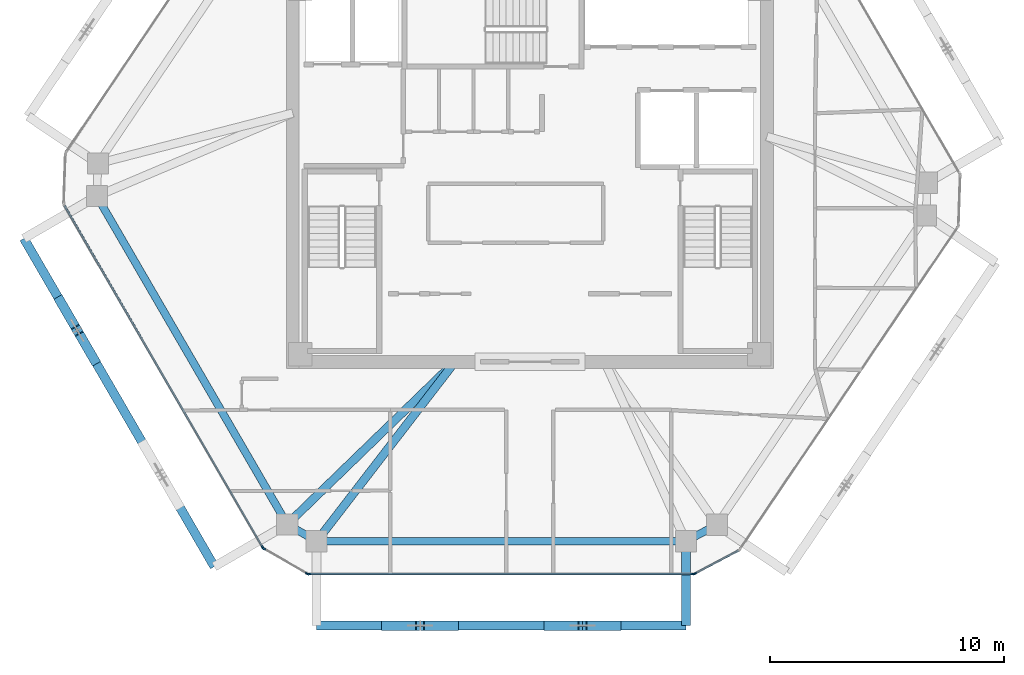
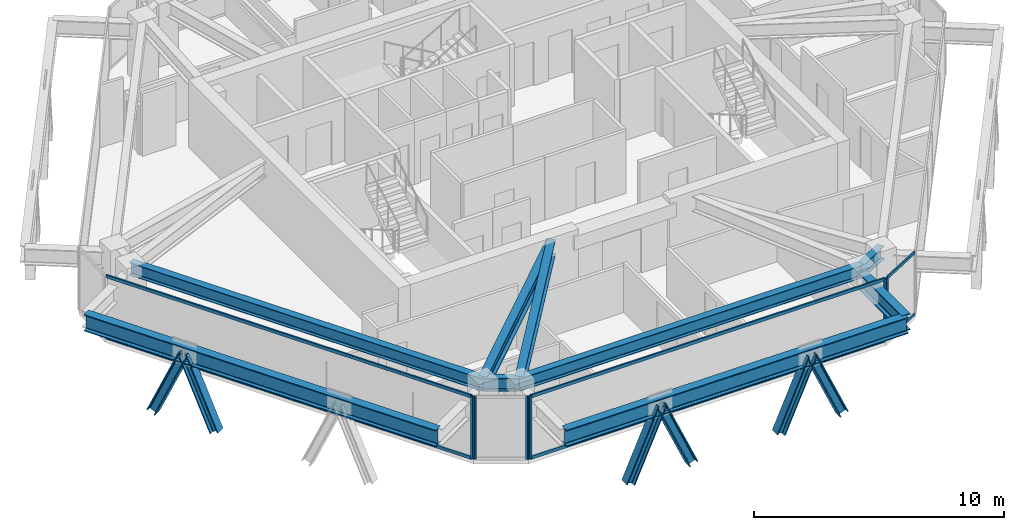
# One storey, part 2 of 13: 18 members, 9 beams, 4 elements without a shape of their own.
"""IFC4 building model written with IfcOpenShell, lengths in metres."""

from ifc_helpers import new_model, si_unit, direction, frame, origin, origin_2d, place, context, subcontext, project, spatial, rectangle, i_section, extrude, source, transform, mapped, material, layer, layer_set, material_profile, profile_set, type_object, type_shapes, element, aggregate, save


model = new_model("IFC4")

# Units and contexts
model_context = context("Model", 3, precision=1e-05, world=origin(), true_north=direction((0.0, 1.0)))
body_context = subcontext(model_context, "Body", "Model", "MODEL_VIEW")
ifc_project = project(units=[si_unit("LENGTHUNIT", "METRE"), si_unit("AREAUNIT", "SQUARE_METRE"), si_unit("VOLUMEUNIT", "CUBIC_METRE"), si_unit("PLANEANGLEUNIT", "RADIAN"), si_unit("MASSUNIT", "GRAM", prefix="KILO")], contexts=[model_context])

# Site, building, storey
site_placement = place(None, origin())
site = spatial("IfcSite", under=ifc_project, at=site_placement, CompositionType="ELEMENT")
building_placement = place(site_placement, origin())
building = spatial("IfcBuilding", under=site, at=building_placement, Name="Durnholm Broadcast Tower", CompositionType="ELEMENT")
storey_placement = place(building_placement, frame((0.0, 0.0, 234.800048828125)))
storey = spatial("IfcBuildingStorey", under=building, at=storey_placement, Name="L65", CompositionType="ELEMENT", Elevation=234.800048828125)

# Beams
ifc_material_1 = material(Name="Steel ASTM A992 Grade 50", Category="steel")
ifc_material_profile_1 = material_profile(ifc_material_1, i_section(OverallWidth=0.385009765625, OverallDepth=0.802978515625, WebThickness=0.023681640625, FlangeThickness=0.0419921875, FilletRadius=0.032958984375, at=origin_2d()), Name="W30X261")
ifc_profile_set_1 = profile_set([ifc_material_profile_1], Name="Steel ASTM A992 Grade 50")
beam_type_1 = type_object("IfcBeamType", Name="BM-EXO-TIE", PredefinedType="USERDEFINED", material=ifc_profile_set_1)
shared_shape_1 = source(origin(), body_context, "Body", "SweptSolid", [
    extrude(i_section(OverallWidth=0.385009765625, OverallDepth=0.802978515625, WebThickness=0.023681640625, FlangeThickness=0.0419921875, FilletRadius=0.032958984375, at=origin_2d()), origin(), (0.0, 0.0, 1.0), 3.4560546875),
])
beam_1_placement = place(storey_placement, frame((6.663818359375, -15.929931640625, 2.30859375), z_axis=(0.0, -1.0, 0.0), x_axis=(1.0, 0.0, 0.0)))
element("IfcBeam", 1, at=beam_1_placement, inside=storey, type_object=beam_type_1, Name="L65 exoskeleton stand-off tie bracket F1.2", ObjectType="GIRDER", PredefinedType="USERDEFINED", context=body_context, shape_type="MappedRepresentation", body=[
    mapped(shared_shape_1, transform((0.0, 0.0, 0.0), x_axis=(1.0, 0.0, 0.0), y_axis=(0.0, 1.0, 0.0), z_axis=(0.0, 0.0, 1.0), scale=1.0)),
])
ifc_material_profile_2 = material_profile(ifc_material_1, i_section(OverallWidth=0.3251953125, OverallDepth=0.6162109375, WebThickness=0.013916015625, FlangeThickness=0.021484375, FilletRadius=0.02783203125, at=origin_2d()), Name="W24X117")
ifc_profile_set_2 = profile_set([ifc_material_profile_2], Name="Steel ASTM A992 Grade 50")
beam_type_2 = type_object("IfcBeamType", Name="STL-SP-W24X117", PredefinedType="SPANDREL", material=ifc_profile_set_2)
shared_shape_2 = source(origin(), body_context, "Body", "SweptSolid", [
    extrude(i_section(OverallWidth=0.3251953125, OverallDepth=0.6162109375, WebThickness=0.013916015625, FlangeThickness=0.021484375, FilletRadius=0.02783203125, at=origin_2d()), origin(), (0.0, 0.0, 1.0), 16.202880859375),
])
beam_2_placement = place(storey_placement, frame((-10.361328125, -15.061767578125, 2.73681640625), z_axis=(-0.501948303381, 0.864897624423, 0.0), x_axis=(-0.864897624423, -0.501948303381, 0.0)))
element("IfcBeam", 2, at=beam_2_placement, inside=storey, type_object=beam_type_2, Name="L65 perimeter spandrel girder 01", PredefinedType="SPANDREL", context=body_context, shape_type="MappedRepresentation", body=[
    mapped(shared_shape_2, transform((0.0, 0.0, 0.0), x_axis=(1.0, 0.0, 0.0), y_axis=(0.0, 1.0, 0.0), z_axis=(0.0, 0.0, 1.0), scale=1.0)),
])
shared_shape_3 = source(origin(), body_context, "Body", "SweptSolid", [
    extrude(i_section(OverallWidth=0.3251953125, OverallDepth=0.6162109375, WebThickness=0.013916015625, FlangeThickness=0.021484375, FilletRadius=0.02783203125, at=origin_2d()), origin(), (0.0, 0.0, 1.0), 1.502685546875),
])
beam_3_placement = place(storey_placement, frame((7.990966796875, -15.081298828125, 2.73681640625), z_axis=(-0.883241909673, -0.468917614296, 0.0), x_axis=(0.468917614296, -0.883241909673, 0.0)))
element("IfcBeam", 3, at=beam_3_placement, inside=storey, type_object=beam_type_2, Name="L65 perimeter spandrel girder 10", PredefinedType="SPANDREL", context=body_context, shape_type="MappedRepresentation", body=[
    mapped(shared_shape_3, transform((0.0, 0.0, 0.0), x_axis=(1.0, 0.0, 0.0), y_axis=(0.0, 1.0, 0.0), z_axis=(0.0, 0.0, 1.0), scale=1.0)),
])
shared_shape_4 = source(origin(), body_context, "Body", "SweptSolid", [
    extrude(i_section(OverallWidth=0.3251953125, OverallDepth=0.6162109375, WebThickness=0.013916015625, FlangeThickness=0.021484375, FilletRadius=0.02783203125, at=origin_2d()), origin(), (0.0, 0.0, 1.0), 15.767578125),
])
beam_4_placement = place(storey_placement, frame((6.663818359375, -15.785888671875, 2.73681640625), z_axis=(-1.0, 0.0, 0.0), x_axis=(0.0, -1.0, 0.0)))
element("IfcBeam", 4, at=beam_4_placement, inside=storey, type_object=beam_type_2, Name="L65 perimeter spandrel girder 11", PredefinedType="SPANDREL", context=body_context, shape_type="MappedRepresentation", body=[
    mapped(shared_shape_4, transform((0.0, 0.0, 0.0), x_axis=(1.0, 0.0, 0.0), y_axis=(0.0, 1.0, 0.0), z_axis=(0.0, 0.0, 1.0), scale=1.0)),
])
shared_shape_5 = source(origin(), body_context, "Body", "SweptSolid", [
    extrude(i_section(OverallWidth=0.3251953125, OverallDepth=0.6162109375, WebThickness=0.013916015625, FlangeThickness=0.021484375, FilletRadius=0.02783203125, at=origin_2d()), origin(), (0.0, 0.0, 1.0), 1.451171875),
])
type_shapes(beam_type_2, [shared_shape_2, shared_shape_3, shared_shape_4, shared_shape_5])
beam_5_placement = place(storey_placement, frame((-9.103759765625, -15.785888671875, 2.73681640625), z_axis=(-0.866602615509, 0.498998904601, 0.0), x_axis=(-0.498998904601, -0.866602615509, 0.0)))
element("IfcBeam", 5, at=beam_5_placement, inside=storey, type_object=beam_type_2, Name="L65 perimeter spandrel girder 12", PredefinedType="SPANDREL", context=body_context, shape_type="MappedRepresentation", body=[
    mapped(shared_shape_5, transform((0.0, 0.0, 0.0), x_axis=(1.0, 0.0, 0.0), y_axis=(0.0, 1.0, 0.0), z_axis=(0.0, 0.0, 1.0), scale=1.0)),
])
shared_shape_6 = source(origin(), body_context, "Body", "SweptSolid", [
    extrude(i_section(OverallWidth=0.385009765625, OverallDepth=0.802978515625, WebThickness=0.023681640625, FlangeThickness=0.0419921875, FilletRadius=0.032958984375, at=origin_2d()), origin(), (0.0, 0.0, 1.0), 15.767578125),
])
beam_6_placement = place(storey_placement, frame((-9.103759765625, -19.385986328125, 2.30859375), z_axis=(1.0, 0.0, 0.0), x_axis=(0.0, 1.0, 0.0)))
element("IfcBeam", 6, at=beam_6_placement, inside=storey, type_object=beam_type_1, Name="L65 exoskeleton collector spandrel F1", PredefinedType="SPANDREL", context=body_context, shape_type="MappedRepresentation", body=[
    mapped(shared_shape_6, transform((0.0, 0.0, 0.0), x_axis=(1.0, 0.0, 0.0), y_axis=(0.0, 1.0, 0.0), z_axis=(0.0, 0.0, 1.0), scale=1.0)),
])
shared_shape_7 = source(origin(), body_context, "Body", "SweptSolid", [
    extrude(i_section(OverallWidth=0.385009765625, OverallDepth=0.802978515625, WebThickness=0.023681640625, FlangeThickness=0.0419921875, FilletRadius=0.032958984375, at=origin_2d()), origin(), (0.0, 0.0, 1.0), 16.20263671875),
])
type_shapes(beam_type_1, [shared_shape_1, shared_shape_6, shared_shape_7])
beam_7_placement = place(storey_placement, frame((-21.60791015625, -2.85498046875, 2.30859375), z_axis=(0.501943573333, -0.864900369516, 0.0), x_axis=(0.864900369516, 0.501943573333, 0.0)))
element("IfcBeam", 7, at=beam_7_placement, inside=storey, type_object=beam_type_1, Name="L65 exoskeleton collector spandrel F6", PredefinedType="SPANDREL", context=body_context, shape_type="MappedRepresentation", body=[
    mapped(shared_shape_7, transform((0.0, 0.0, 0.0), x_axis=(1.0, 0.0, 0.0), y_axis=(0.0, 1.0, 0.0), z_axis=(0.0, 0.0, 1.0), scale=1.0)),
])
ifc_material_profile_3 = material_profile(ifc_material_1, i_section(OverallWidth=0.3564453125, OverallDepth=0.713623046875, WebThickness=0.01904296875, FlangeThickness=0.033935546875, FilletRadius=0.030517578125, at=origin_2d()), Name="W27X194")
ifc_profile_set_3 = profile_set([ifc_material_profile_3], Name="Steel ASTM A992 Grade 50")
beam_type_3 = type_object("IfcBeamType", Name="STL-GR-W27X194", PredefinedType="USERDEFINED", material=ifc_profile_set_3)
shared_shape_8 = source(origin(), body_context, "Body", "SweptSolid", [
    extrude(i_section(OverallWidth=0.3564453125, OverallDepth=0.713623046875, WebThickness=0.01904296875, FlangeThickness=0.033935546875, FilletRadius=0.030517578125, at=origin_2d()), origin(), (0.0, 0.0, 1.0), 9.97021484375),
])
beam_8_placement = place(storey_placement, frame((-3.199951171875, -8.125, 2.688232421875), z_axis=(-0.718281140352, -0.695752975857, 0.0), x_axis=(0.695752975857, -0.718281140352, 0.0)))
element("IfcBeam", 8, at=beam_8_placement, inside=storey, type_object=beam_type_3, Name="L65 radial primary floor girder 01", ObjectType="GIRDER", PredefinedType="USERDEFINED", context=body_context, shape_type="MappedRepresentation", body=[
    mapped(shared_shape_8, transform((0.0, 0.0, 0.0), x_axis=(1.0, 0.0, 0.0), y_axis=(0.0, 1.0, 0.0), z_axis=(0.0, 0.0, 1.0), scale=1.0)),
])
shared_shape_9 = source(origin(), body_context, "Body", "SweptSolid", [
    extrude(i_section(OverallWidth=0.3564453125, OverallDepth=0.713623046875, WebThickness=0.01904296875, FlangeThickness=0.033935546875, FilletRadius=0.030517578125, at=origin_2d()), origin(), (0.0, 0.0, 1.0), 9.671875),
])
type_shapes(beam_type_3, [shared_shape_8, shared_shape_9])
beam_9_placement = place(storey_placement, frame((-3.199951171875, -8.125, 2.688232421875), z_axis=(-0.610413181287, -0.792083169945, 0.0), x_axis=(0.792083169945, -0.610413181287, 0.0)))
element("IfcBeam", 9, at=beam_9_placement, inside=storey, type_object=beam_type_3, Name="L65 radial primary floor girder 12", ObjectType="GIRDER", PredefinedType="USERDEFINED", context=body_context, shape_type="MappedRepresentation", body=[
    mapped(shared_shape_9, transform((0.0, 0.0, 0.0), x_axis=(1.0, 0.0, 0.0), y_axis=(0.0, 1.0, 0.0), z_axis=(0.0, 0.0, 1.0), scale=1.0)),
])

# Members
ifc_material_2 = material(Name="Steel ASTM A913 Grade 65", Category="steel")
ifc_material_profile_4 = material_profile(ifc_material_2, i_section(OverallWidth=0.40625, OverallDepth=0.416015625, WebThickness=0.02978515625, FlangeThickness=0.048095703125, FilletRadius=0.030517578125, at=origin_2d()), Name="W14X257")
ifc_profile_set_4 = profile_set([ifc_material_profile_4], Name="Steel ASTM A913 Grade 65")
member_type_1 = type_object("IfcMemberType", Name="STL-DG-W14X257", PredefinedType="BRACE", material=ifc_profile_set_4)
shared_shape_10 = source(origin(), body_context, "Body", "SweptSolid", [
    extrude(i_section(OverallWidth=0.40625, OverallDepth=0.416015625, WebThickness=0.02978515625, FlangeThickness=0.048095703125, FilletRadius=0.030517578125, at=origin_2d()), origin(), (0.0, 0.0, 1.0), 3.60791015625),
])
for number, where, z_axis, x_axis, name in (
    (10, (-6.14697265625, -19.385986328125, -0.991455078125), (0.404184914295, 0.0, 0.914677295584), (0.0, 1.0, 0.0), "L65 stand-off diagrid brace F1.D1.1"),
    (11, (0.79052734375, -19.385986328125, -0.991455078125), (0.404184914295, 0.0, 0.914677295584), (0.0, 1.0, 0.0), "L65 stand-off diagrid brace F1.D2.1"),
    (12, (3.70703125, -19.385986328125, -0.991455078125), (-0.404184914295, 0.0, 0.914677295584), (0.0, -1.0, 0.0), "L65 stand-off diagrid brace F1.D2.2"),
    (13, (-20.0625, -5.517578125, -0.991455078125), (0.202806304578, -0.349582038522, 0.914692298626), (0.864978863669, 0.501808295473, 0.0), "L65 stand-off diagrid brace F6.D1.1"),
    (14, (-18.5986328125, -8.0400390625, -0.991455078125), (-0.202936072208, 0.349572440488, 0.914667185072), (-0.864833498681, -0.50205878098, 0.0), "L65 stand-off diagrid brace F6.D1.2"),
):
    element("IfcMember", number, at=place(storey_placement, frame(where, z_axis=z_axis, x_axis=x_axis)), inside=storey, type_object=member_type_1, Name=name, PredefinedType="BRACE", context=body_context, shape_type="MappedRepresentation", body=[
        mapped(shared_shape_10, transform((0.0, 0.0, 0.0), x_axis=(1.0, 0.0, 0.0), y_axis=(0.0, 1.0, 0.0), z_axis=(0.0, 0.0, 1.0), scale=1.0)),
    ])
shared_shape_11 = source(origin(), body_context, "Body", "SweptSolid", [
    extrude(i_section(OverallWidth=0.40625, OverallDepth=0.416015625, WebThickness=0.02978515625, FlangeThickness=0.048095703125, FilletRadius=0.030517578125, at=origin_2d()), origin(), (0.0, 0.0, 1.0), 3.607666015625),
])
type_shapes(member_type_1, [shared_shape_10, shared_shape_11])
member_1_placement = place(storey_placement, frame((-3.230712890625, -19.385986328125, -0.991455078125), z_axis=(-0.404128298032, 0.0, 0.914702311536), x_axis=(0.0, -1.0, 0.0)))
element("IfcMember", 15, at=member_1_placement, inside=storey, type_object=member_type_1, Name="L65 stand-off diagrid brace F1.D1.2", PredefinedType="BRACE", context=body_context, shape_type="MappedRepresentation", body=[
    mapped(shared_shape_11, transform((0.0, 0.0, 0.0), x_axis=(1.0, 0.0, 0.0), y_axis=(0.0, 1.0, 0.0), z_axis=(0.0, 0.0, 1.0), scale=1.0)),
])

# Curtain wall, members
ifc_material_3 = material(Name="Aluminium and Solar Control IGU", Category="aluminium")
ifc_layer_1 = layer(ifc_material_3, 0.1650390625)
ifc_layer_set_1 = layer_set([ifc_layer_1], Name="Aluminium and Solar Control IGU")
curtain_wall_type_1 = type_object("IfcCurtainWallType", Name="CW-SYS-5", PredefinedType="NOTDEFINED", material=ifc_layer_set_1)
curtain_wall_1_placement = place(storey_placement, origin())
curtain_wall_1 = element("IfcCurtainWall", 16, at=curtain_wall_1_placement, inside=storey, type_object=curtain_wall_type_1, Name="L65 curtain wall CW-CORNER CW-L65-CRN-09", PredefinedType="NOTDEFINED")
ifc_material_4 = material(Name="Aluminium 6063-T6", Category="aluminium")
ifc_material_profile_5 = material_profile(ifc_material_4, rectangle(XDim=0.06494140625, YDim=0.1298828125, at=origin_2d()), Name="CWT65X130")
ifc_profile_set_5 = profile_set([ifc_material_profile_5], Name="Aluminium 6063-T6")
member_type_2 = type_object("IfcMemberType", Name="CW-SYS-5-TRN", PredefinedType="USERDEFINED", material=ifc_profile_set_5)
shared_shape_12 = source(origin(), body_context, "Body", "SweptSolid", [
    extrude(rectangle(XDim=0.06494140625, YDim=0.1298828125, at=origin_2d()), origin(), (0.0, 0.0, 1.0), 2.070068359375),
])
type_shapes(member_type_2, [shared_shape_12])
member_2_placement = place(storey_placement, frame((8.89794921875, -16.1845703125, 0.032470703125), z_axis=(-0.883164581026, -0.469063239682, 0.0), x_axis=(0.469063239682, -0.883164581026, 0.0)))
member_2 = element("IfcMember", 17, at=member_2_placement, type_object=member_type_2, Name="CW-CORNER transom 1.1", ObjectType="TRANSOM", PredefinedType="USERDEFINED", context=body_context, shape_type="MappedRepresentation", body=[
    mapped(shared_shape_12, transform((0.0, 0.0, 0.0), x_axis=(1.0, 0.0, 0.0), y_axis=(0.0, 1.0, 0.0), z_axis=(0.0, 0.0, 1.0), scale=1.0)),
])
member_3_placement = place(storey_placement, frame((8.89794921875, -16.1845703125, 3.02734375), z_axis=(-0.883164581026, -0.469063239682, 0.0), x_axis=(0.469063239682, -0.883164581026, 0.0)))
member_3 = element("IfcMember", 18, at=member_3_placement, type_object=member_type_2, Name="CW-CORNER transom 1.2", ObjectType="TRANSOM", PredefinedType="USERDEFINED", context=body_context, shape_type="MappedRepresentation", body=[
    mapped(shared_shape_12, transform((0.0, 0.0, 0.0), x_axis=(1.0, 0.0, 0.0), y_axis=(0.0, 1.0, 0.0), z_axis=(0.0, 0.0, 1.0), scale=1.0)),
])
ifc_material_profile_6 = material_profile(ifc_material_4, rectangle(XDim=0.06494140625, YDim=0.1650390625, at=origin_2d()), Name="CWM65X165")
ifc_profile_set_6 = profile_set([ifc_material_profile_6], Name="Aluminium 6063-T6")
member_type_3 = type_object("IfcMemberType", Name="CW-SYS-5-MUL", PredefinedType="MULLION", material=ifc_profile_set_6)
shared_shape_13 = source(origin(), body_context, "Body", "SweptSolid", [
    extrude(rectangle(XDim=0.06494140625, YDim=0.1650390625, at=origin_2d()), origin(), (0.0, 0.0, 1.0), 3.06005859375),
])
type_shapes(member_type_3, [shared_shape_13])
member_4_placement = place(storey_placement, frame((7.041015625, -17.170654296875, 0.0), z_axis=(0.0, 0.0, 1.0), x_axis=(0.469006771575, -0.883194569853, 0.0)))
member_4 = element("IfcMember", 19, at=member_4_placement, type_object=member_type_3, Name="CW-CORNER mullion 2", PredefinedType="MULLION", context=body_context, shape_type="MappedRepresentation", body=[
    mapped(shared_shape_13, transform((0.0, 0.0, 0.0), x_axis=(1.0, 0.0, 0.0), y_axis=(0.0, 1.0, 0.0), z_axis=(0.0, 0.0, 1.0), scale=1.0)),
])
aggregate(curtain_wall_1, [member_4, member_2, member_3])

curtain_wall_2_placement = place(storey_placement, origin())
curtain_wall_2 = element("IfcCurtainWall", 20, at=curtain_wall_2_placement, inside=storey, type_object=curtain_wall_type_1, Name="L65 curtain wall CW-CORNER CW-L65-CRN-11", PredefinedType="NOTDEFINED")
member_5_placement = place(storey_placement, frame((-9.506103515625, -17.169677734375, 0.0), z_axis=(0.0, 0.0, 1.0), x_axis=(-0.499058582333, -0.866568249707, 0.0)))
member_5 = element("IfcMember", 21, at=member_5_placement, type_object=member_type_3, Name="CW-CORNER mullion 1", PredefinedType="MULLION", context=body_context, shape_type="MappedRepresentation", body=[
    mapped(shared_shape_13, transform((0.0, 0.0, 0.0), x_axis=(1.0, 0.0, 0.0), y_axis=(0.0, 1.0, 0.0), z_axis=(0.0, 0.0, 1.0), scale=1.0)),
])
member_6_placement = place(storey_placement, frame((-11.356201171875, -16.104248046875, 0.0), z_axis=(0.0, 0.0, 1.0), x_axis=(-0.499058582333, -0.866568249707, 0.0)))
member_6 = element("IfcMember", 22, at=member_6_placement, type_object=member_type_3, Name="CW-CORNER mullion 2", PredefinedType="MULLION", context=body_context, shape_type="MappedRepresentation", body=[
    mapped(shared_shape_13, transform((0.0, 0.0, 0.0), x_axis=(1.0, 0.0, 0.0), y_axis=(0.0, 1.0, 0.0), z_axis=(0.0, 0.0, 1.0), scale=1.0)),
])
aggregate(curtain_wall_2, [member_5, member_6])

ifc_layer_2 = layer(ifc_material_3, 0.18994140625)
ifc_layer_set_2 = layer_set([ifc_layer_2], Name="Aluminium and Solar Control IGU")
curtain_wall_type_2 = type_object("IfcCurtainWallType", Name="CW-SYS-4", PredefinedType="NOTDEFINED", material=ifc_layer_set_2)
curtain_wall_3_placement = place(storey_placement, origin())
curtain_wall_3 = element("IfcCurtainWall", 23, at=curtain_wall_3_placement, inside=storey, type_object=curtain_wall_type_2, Name="L65 curtain wall CW-Z34-VIS CW-L65-F10", PredefinedType="NOTDEFINED")
ifc_material_profile_7 = material_profile(ifc_material_4, rectangle(XDim=0.070068359375, YDim=0.18994140625, at=origin_2d()), Name="CWM70X190")
ifc_profile_set_7 = profile_set([ifc_material_profile_7], Name="Aluminium 6063-T6")
member_type_4 = type_object("IfcMemberType", Name="CW-SYS-4-MUL", PredefinedType="MULLION", material=ifc_profile_set_7)
shared_shape_14 = source(origin(), body_context, "Body", "SweptSolid", [
    extrude(rectangle(XDim=0.070068359375, YDim=0.18994140625, at=origin_2d()), origin(), (0.0, 0.0, 1.0), 3.06005859375),
])
type_shapes(member_type_4, [shared_shape_14])
member_7_placement = place(storey_placement, frame((6.977294921875, -17.18603515625, 0.0), z_axis=(0.0, 0.0, 1.0), x_axis=(0.0, -1.0, 0.0)))
member_7 = element("IfcMember", 24, at=member_7_placement, type_object=member_type_4, Name="CW-Z34-VIS mullion 1", PredefinedType="MULLION", context=body_context, shape_type="MappedRepresentation", body=[
    mapped(shared_shape_14, transform((0.0, 0.0, 0.0), x_axis=(1.0, 0.0, 0.0), y_axis=(0.0, 1.0, 0.0), z_axis=(0.0, 0.0, 1.0), scale=1.0)),
])
member_8_placement = place(storey_placement, frame((-9.443115234375, -17.18603515625, 0.0), z_axis=(0.0, 0.0, 1.0), x_axis=(0.0, -1.0, 0.0)))
member_8 = element("IfcMember", 25, at=member_8_placement, type_object=member_type_4, Name="CW-Z34-VIS mullion 2", PredefinedType="MULLION", context=body_context, shape_type="MappedRepresentation", body=[
    mapped(shared_shape_14, transform((0.0, 0.0, 0.0), x_axis=(1.0, 0.0, 0.0), y_axis=(0.0, 1.0, 0.0), z_axis=(0.0, 0.0, 1.0), scale=1.0)),
])

# Curtain wall, member
curtain_wall_4_placement = place(storey_placement, origin())
curtain_wall_4 = element("IfcCurtainWall", 26, at=curtain_wall_4_placement, inside=storey, type_object=curtain_wall_type_2, Name="L65 curtain wall CW-Z34-VIS CW-L65-F12", PredefinedType="NOTDEFINED")
member_9_placement = place(storey_placement, frame((-11.40185546875, -16.057861328125, 0.0), z_axis=(0.0, 0.0, 1.0), x_axis=(-0.864899883824, -0.50194441023, 0.0)))
member_9 = element("IfcMember", 27, at=member_9_placement, type_object=member_type_4, Name="CW-Z34-VIS mullion 1", PredefinedType="MULLION", context=body_context, shape_type="MappedRepresentation", body=[
    mapped(shared_shape_14, transform((0.0, 0.0, 0.0), x_axis=(1.0, 0.0, 0.0), y_axis=(0.0, 1.0, 0.0), z_axis=(0.0, 0.0, 1.0), scale=1.0)),
])

# Member
ifc_material_profile_8 = material_profile(ifc_material_4, rectangle(XDim=0.070068359375, YDim=0.14990234375, at=origin_2d()), Name="CWT70X150")
ifc_profile_set_8 = profile_set([ifc_material_profile_8], Name="Aluminium 6063-T6")
member_type_5 = type_object("IfcMemberType", Name="CW-SYS-4-TRN", PredefinedType="USERDEFINED", material=ifc_profile_set_8)
shared_shape_15 = source(origin(), body_context, "Body", "SweptSolid", [
    extrude(rectangle(XDim=0.070068359375, YDim=0.14990234375, at=origin_2d()), origin(), (0.0, 0.0, 1.0), 16.350341796875),
])
member_10_placement = place(storey_placement, frame((6.9423828125, -17.18603515625, 0.034912109375), z_axis=(-1.0, 0.0, 0.0), x_axis=(0.0, -1.0, 0.0)))
member_10 = element("IfcMember", 28, at=member_10_placement, type_object=member_type_5, Name="CW-Z34-VIS transom 1.1", ObjectType="TRANSOM", PredefinedType="USERDEFINED", context=body_context, shape_type="MappedRepresentation", body=[
    mapped(shared_shape_15, transform((0.0, 0.0, 0.0), x_axis=(1.0, 0.0, 0.0), y_axis=(0.0, 1.0, 0.0), z_axis=(0.0, 0.0, 1.0), scale=1.0)),
])

member_11_placement = place(storey_placement, frame((6.9423828125, -17.18603515625, 3.02490234375), z_axis=(-1.0, 0.0, 0.0), x_axis=(0.0, -1.0, 0.0)))
member_11 = element("IfcMember", 29, at=member_11_placement, type_object=member_type_5, Name="CW-Z34-VIS transom 1.2", ObjectType="TRANSOM", PredefinedType="USERDEFINED", context=body_context, shape_type="MappedRepresentation", body=[
    mapped(shared_shape_15, transform((0.0, 0.0, 0.0), x_axis=(1.0, 0.0, 0.0), y_axis=(0.0, 1.0, 0.0), z_axis=(0.0, 0.0, 1.0), scale=1.0)),
])

aggregate(curtain_wall_3, [member_7, member_8, member_10, member_11])

shared_shape_16 = source(origin(), body_context, "Body", "SweptSolid", [
    extrude(rectangle(XDim=0.070068359375, YDim=0.14990234375, at=origin_2d()), origin(), (0.0, 0.0, 1.0), 16.83984375),
])
type_shapes(member_type_5, [shared_shape_15, shared_shape_16])
member_12_placement = place(storey_placement, frame((-11.41943359375, -16.027587890625, 0.034912109375), z_axis=(-0.501945239029, 0.86489940283, 0.0), x_axis=(-0.86489940283, -0.501945239029, 0.0)))
member_12 = element("IfcMember", 30, at=member_12_placement, type_object=member_type_5, Name="CW-Z34-VIS transom 1.1", ObjectType="TRANSOM", PredefinedType="USERDEFINED", context=body_context, shape_type="MappedRepresentation", body=[
    mapped(shared_shape_16, transform((0.0, 0.0, 0.0), x_axis=(1.0, 0.0, 0.0), y_axis=(0.0, 1.0, 0.0), z_axis=(0.0, 0.0, 1.0), scale=1.0)),
])

member_13_placement = place(storey_placement, frame((-11.41943359375, -16.027587890625, 3.02490234375), z_axis=(-0.501945239029, 0.86489940283, 0.0), x_axis=(-0.86489940283, -0.501945239029, 0.0)))
member_13 = element("IfcMember", 31, at=member_13_placement, type_object=member_type_5, Name="CW-Z34-VIS transom 1.2", ObjectType="TRANSOM", PredefinedType="USERDEFINED", context=body_context, shape_type="MappedRepresentation", body=[
    mapped(shared_shape_16, transform((0.0, 0.0, 0.0), x_axis=(1.0, 0.0, 0.0), y_axis=(0.0, 1.0, 0.0), z_axis=(0.0, 0.0, 1.0), scale=1.0)),
])

aggregate(curtain_wall_4, [member_9, member_12, member_13])

save(model, "model.ifc")
